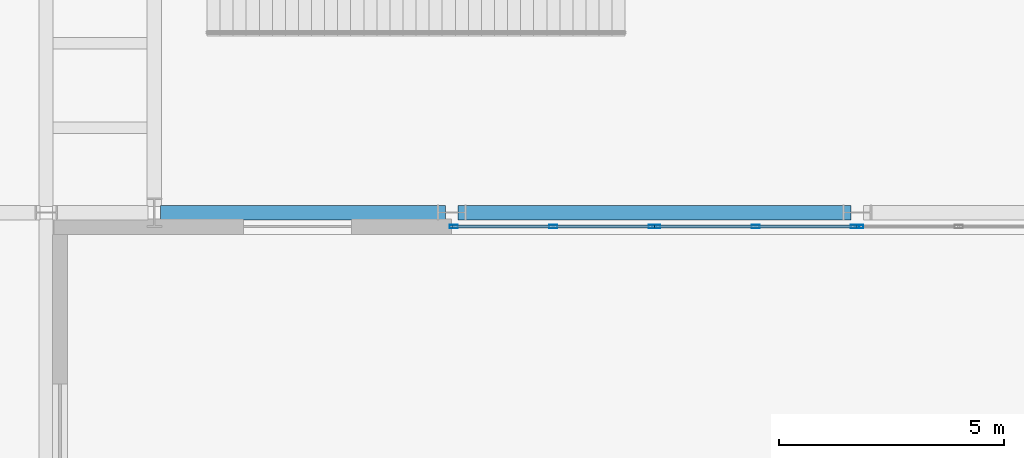
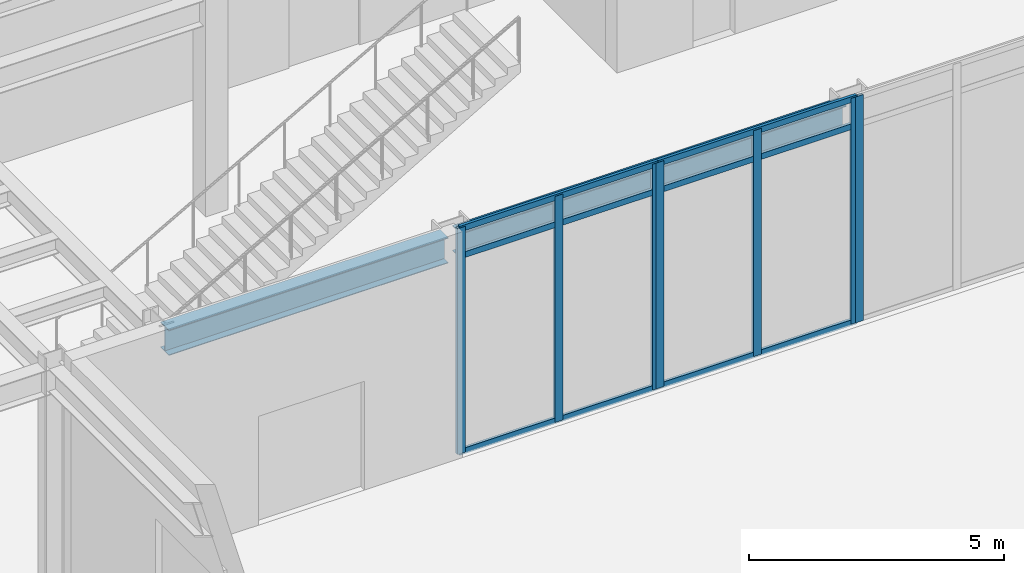
# One storey, part 46 of 94: 13 members, 2 beams, 3 elements without a shape of their own.
"""IFC4 building model written with IfcOpenShell, lengths in metres."""

from ifc_helpers import new_model, si_unit, direction, frame, origin, origin_2d, place, context, subcontext, project, spatial, hollow_rectangle, i_section, extrude, material, layer, layer_set, material_profile, profile_set, type_object, element, aggregate, save


model = new_model("IFC4")

# Units and contexts
model_context = context("Model", 3, precision=1e-05, world=origin(), true_north=direction((0.0, 1.0)))
body_context = subcontext(model_context, "Body", "Model", "MODEL_VIEW")
ifc_project = project(units=[si_unit("LENGTHUNIT", "METRE"), si_unit("AREAUNIT", "SQUARE_METRE"), si_unit("VOLUMEUNIT", "CUBIC_METRE"), si_unit("PLANEANGLEUNIT", "RADIAN"), si_unit("MASSUNIT", "GRAM", prefix="KILO")], contexts=[model_context])

# Site, building, storey
site_placement = place(None, origin())
site = spatial("IfcSite", under=ifc_project, at=site_placement, CompositionType="ELEMENT")
building_placement = place(site_placement, origin())
building = spatial("IfcBuilding", under=site, at=building_placement, Name="Sollismere Congress Hotel", CompositionType="ELEMENT")
storey_placement = place(building_placement, origin())
storey = spatial("IfcBuildingStorey", under=building, at=storey_placement, Name="L00", CompositionType="ELEMENT", Elevation=0.0)

# Beams
ifc_material_1 = material(Name="Steel ASTM A992 Grade 50", Category="steel")
ifc_material_profile_1 = material_profile(ifc_material_1, i_section(OverallWidth=0.324951171875, OverallDepth=0.612060546875, WebThickness=0.0126953125, FlangeThickness=0.01904296875, at=origin_2d()), Name="W24X104")
ifc_profile_set_1 = profile_set([ifc_material_profile_1], Name="Steel ASTM A992 Grade 50")
beam_type = type_object("IfcBeamType", Name="BM-G24", PredefinedType="BEAM", material=ifc_profile_set_1)
beam_1_placement = place(storey_placement, frame((60.5400390625, 66.800048828125, 4.80908203125), z_axis=(1.0, 0.0, 0.0), x_axis=(0.0, 1.0, 0.0)))
element("IfcBeam", 1, at=beam_1_placement, inside=storey, type_object=beam_type, Name="Beam BM-L00-1189", PredefinedType="BEAM", context=body_context, shape_type="SweptSolid", body=[
    extrude(i_section(OverallWidth=0.324951171875, OverallDepth=0.612060546875, WebThickness=0.0126953125, FlangeThickness=0.01904296875, at=origin_2d()), origin(), (0.0, 0.0, 1.0), 6.320068359375),
])
beam_2_placement = place(storey_placement, frame((67.139892578125, 66.800048828125, 4.80908203125), z_axis=(1.0, 0.0, 0.0), x_axis=(0.0, 1.0, 0.0)))
element("IfcBeam", 2, at=beam_2_placement, inside=storey, type_object=beam_type, Name="Beam BM-L00-1190", PredefinedType="BEAM", context=body_context, shape_type="SweptSolid", body=[
    extrude(i_section(OverallWidth=0.324951171875, OverallDepth=0.612060546875, WebThickness=0.0126953125, FlangeThickness=0.01904296875, at=origin_2d()), origin(), (0.0, 0.0, 1.0), 8.72021484375),
])

# Curtain wall, members
ifc_material_2 = material(Name="Anodized Bronze Curtain Wall & Low-E Triple Glazing", Category="glass")
ifc_layer = layer(ifc_material_2, 0.199951171875, Name="Anodized Bronze Curtain Wall & Low-E Triple Glazing")
ifc_layer_set = layer_set([ifc_layer], Name="Anodized Bronze Curtain Wall & Low-E Triple Glazing")
curtain_wall_type = type_object("IfcCurtainWallType", Name="CW-GLZ36", PredefinedType="USERDEFINED", material=ifc_layer_set)
curtain_wall_1_placement = place(storey_placement, origin())
curtain_wall_1 = element("IfcCurtainWall", 3, at=curtain_wall_1_placement, inside=storey, type_object=curtain_wall_type, Name="Unitised curtain wall CW-L00-073", ObjectType="UNITISED CURTAIN WALL", PredefinedType="USERDEFINED")
ifc_material_3 = material(Name="Anodized Aluminum 6063-T6", Category="aluminium")
ifc_material_profile_2 = material_profile(ifc_material_3, hollow_rectangle(XDim=0.074951171875, YDim=0.179931640625, WallThickness=0.0048828125, at=origin_2d()), Name="ALU180X75X5")
ifc_profile_set_2 = profile_set([ifc_material_profile_2], Name="Anodized Aluminum 6063-T6")
member_type_1 = type_object("IfcMemberType", Name="ML-CW180", PredefinedType="MULLION", material=ifc_profile_set_2)
member_1_placement = place(storey_placement, frame((67.048095703125, 66.489990234375, 0.0), z_axis=(0.0, 0.0, 1.0), x_axis=(0.0, 1.0, 0.0)))
member_1 = element("IfcMember", 4, at=member_1_placement, type_object=member_type_1, Name="CWL-CW-L00-073-ML01", PredefinedType="MULLION", context=body_context, shape_type="SweptSolid", body=[
    extrude(hollow_rectangle(XDim=0.074951171875, YDim=0.179931640625, WallThickness=0.0048828125, at=origin_2d()), origin(), (0.0, 0.0, 1.0), 5.39990234375),
])
member_2_placement = place(storey_placement, frame((69.2548828125, 66.489990234375, 0.0), z_axis=(0.0, 0.0, 1.0), x_axis=(0.0, 1.0, 0.0)))
member_2 = element("IfcMember", 5, at=member_2_placement, type_object=member_type_1, Name="CWL-CW-L00-073-ML02", PredefinedType="MULLION", context=body_context, shape_type="SweptSolid", body=[
    extrude(hollow_rectangle(XDim=0.074951171875, YDim=0.179931640625, WallThickness=0.0048828125, at=origin_2d()), origin(), (0.0, 0.0, 1.0), 5.39990234375),
])
member_3_placement = place(storey_placement, frame((71.4619140625, 66.489990234375, 0.0), z_axis=(0.0, 0.0, 1.0), x_axis=(0.0, 1.0, 0.0)))
member_3 = element("IfcMember", 6, at=member_3_placement, type_object=member_type_1, Name="CWL-CW-L00-073-ML03", PredefinedType="MULLION", context=body_context, shape_type="SweptSolid", body=[
    extrude(hollow_rectangle(XDim=0.074951171875, YDim=0.179931640625, WallThickness=0.0048828125, at=origin_2d()), origin(), (0.0, 0.0, 1.0), 5.39990234375),
])

curtain_wall_2_placement = place(storey_placement, origin())
curtain_wall_2 = element("IfcCurtainWall", 7, at=curtain_wall_2_placement, inside=storey, type_object=curtain_wall_type, Name="Unitised curtain wall CW-L00-074", ObjectType="UNITISED CURTAIN WALL", PredefinedType="USERDEFINED")
member_4_placement = place(storey_placement, frame((71.5380859375, 66.489990234375, 0.0), z_axis=(0.0, 0.0, 1.0), x_axis=(0.0, 1.0, 0.0)))
member_4 = element("IfcMember", 8, at=member_4_placement, type_object=member_type_1, Name="CWL-CW-L00-074-ML01", PredefinedType="MULLION", context=body_context, shape_type="SweptSolid", body=[
    extrude(hollow_rectangle(XDim=0.074951171875, YDim=0.179931640625, WallThickness=0.0048828125, at=origin_2d()), origin(), (0.0, 0.0, 1.0), 5.39990234375),
])
member_5_placement = place(storey_placement, frame((73.7451171875, 66.489990234375, 0.0), z_axis=(0.0, 0.0, 1.0), x_axis=(0.0, 1.0, 0.0)))
member_5 = element("IfcMember", 9, at=member_5_placement, type_object=member_type_1, Name="CWL-CW-L00-074-ML02", PredefinedType="MULLION", context=body_context, shape_type="SweptSolid", body=[
    extrude(hollow_rectangle(XDim=0.074951171875, YDim=0.179931640625, WallThickness=0.0048828125, at=origin_2d()), origin(), (0.0, 0.0, 1.0), 5.39990234375),
])
member_6_placement = place(storey_placement, frame((75.951904296875, 66.489990234375, 0.0), z_axis=(0.0, 0.0, 1.0), x_axis=(0.0, 1.0, 0.0)))
member_6 = element("IfcMember", 10, at=member_6_placement, type_object=member_type_1, Name="CWL-CW-L00-074-ML03", PredefinedType="MULLION", context=body_context, shape_type="SweptSolid", body=[
    extrude(hollow_rectangle(XDim=0.074951171875, YDim=0.179931640625, WallThickness=0.0048828125, at=origin_2d()), origin(), (0.0, 0.0, 1.0), 5.39990234375),
])

# Curtain wall, member
curtain_wall_3_placement = place(storey_placement, origin())
curtain_wall_3 = element("IfcCurtainWall", 11, at=curtain_wall_3_placement, inside=storey, type_object=curtain_wall_type, Name="Unitised curtain wall CW-L00-075", ObjectType="UNITISED CURTAIN WALL", PredefinedType="USERDEFINED")
member_7_placement = place(storey_placement, frame((76.048095703125, 66.489990234375, 0.0), z_axis=(0.0, 0.0, 1.0), x_axis=(0.0, 1.0, 0.0)))
member_7 = element("IfcMember", 12, at=member_7_placement, type_object=member_type_1, Name="CWL-CW-L00-075-ML01", PredefinedType="MULLION", context=body_context, shape_type="SweptSolid", body=[
    extrude(hollow_rectangle(XDim=0.074951171875, YDim=0.179931640625, WallThickness=0.0048828125, at=origin_2d()), origin(), (0.0, 0.0, 1.0), 5.39990234375),
])
aggregate(curtain_wall_3, [member_7])

# Member
ifc_material_profile_3 = material_profile(ifc_material_3, hollow_rectangle(XDim=0.06494140625, YDim=0.139892578125, WallThickness=0.00390625, at=origin_2d()), Name="ALU140X65X4")
ifc_profile_set_3 = profile_set([ifc_material_profile_3], Name="Anodized Aluminum 6063-T6")
member_type_2 = type_object("IfcMemberType", Name="TR-CW150", PredefinedType="MEMBER", material=ifc_profile_set_3)
member_8_placement = place(storey_placement, frame((67.010009765625, 66.489990234375, 0.032470703125), z_axis=(1.0, 0.0, 0.0), x_axis=(0.0, 1.0, 0.0)))
member_8 = element("IfcMember", 13, at=member_8_placement, type_object=member_type_2, Name="CWL-CW-L00-073-TR1", PredefinedType="MEMBER", context=body_context, shape_type="SweptSolid", body=[
    extrude(hollow_rectangle(XDim=0.06494140625, YDim=0.139892578125, WallThickness=0.00390625, at=origin_2d()), origin(), (0.0, 0.0, 1.0), 4.489990234375),
])

member_9_placement = place(storey_placement, frame((67.010009765625, 66.489990234375, 4.719970703125), z_axis=(1.0, 0.0, 0.0), x_axis=(0.0, 1.0, 0.0)))
member_9 = element("IfcMember", 14, at=member_9_placement, type_object=member_type_2, Name="CWL-CW-L00-073-TR2", PredefinedType="MEMBER", context=body_context, shape_type="SweptSolid", body=[
    extrude(hollow_rectangle(XDim=0.06494140625, YDim=0.139892578125, WallThickness=0.00390625, at=origin_2d()), origin(), (0.0, 0.0, 1.0), 4.489990234375),
])

member_10_placement = place(storey_placement, frame((67.010009765625, 66.489990234375, 5.367431640625), z_axis=(1.0, 0.0, 0.0), x_axis=(0.0, 1.0, 0.0)))
member_10 = element("IfcMember", 15, at=member_10_placement, type_object=member_type_2, Name="CWL-CW-L00-073-TR3", PredefinedType="MEMBER", context=body_context, shape_type="SweptSolid", body=[
    extrude(hollow_rectangle(XDim=0.06494140625, YDim=0.139892578125, WallThickness=0.00390625, at=origin_2d()), origin(), (0.0, 0.0, 1.0), 4.489990234375),
])

aggregate(curtain_wall_1, [member_1, member_2, member_3, member_8, member_9, member_10])

member_11_placement = place(storey_placement, frame((71.5, 66.489990234375, 0.032470703125), z_axis=(1.0, 0.0, 0.0), x_axis=(0.0, 1.0, 0.0)))
member_11 = element("IfcMember", 16, at=member_11_placement, type_object=member_type_2, Name="CWL-CW-L00-074-TR1", PredefinedType="MEMBER", context=body_context, shape_type="SweptSolid", body=[
    extrude(hollow_rectangle(XDim=0.06494140625, YDim=0.139892578125, WallThickness=0.00390625, at=origin_2d()), origin(), (0.0, 0.0, 1.0), 4.489990234375),
])

member_12_placement = place(storey_placement, frame((71.5, 66.489990234375, 4.719970703125), z_axis=(1.0, 0.0, 0.0), x_axis=(0.0, 1.0, 0.0)))
member_12 = element("IfcMember", 17, at=member_12_placement, type_object=member_type_2, Name="CWL-CW-L00-074-TR2", PredefinedType="MEMBER", context=body_context, shape_type="SweptSolid", body=[
    extrude(hollow_rectangle(XDim=0.06494140625, YDim=0.139892578125, WallThickness=0.00390625, at=origin_2d()), origin(), (0.0, 0.0, 1.0), 4.489990234375),
])

member_13_placement = place(storey_placement, frame((71.5, 66.489990234375, 5.367431640625), z_axis=(1.0, 0.0, 0.0), x_axis=(0.0, 1.0, 0.0)))
member_13 = element("IfcMember", 18, at=member_13_placement, type_object=member_type_2, Name="CWL-CW-L00-074-TR3", PredefinedType="MEMBER", context=body_context, shape_type="SweptSolid", body=[
    extrude(hollow_rectangle(XDim=0.06494140625, YDim=0.139892578125, WallThickness=0.00390625, at=origin_2d()), origin(), (0.0, 0.0, 1.0), 4.489990234375),
])

aggregate(curtain_wall_2, [member_4, member_5, member_6, member_11, member_12, member_13])

save(model, "model.ifc")
